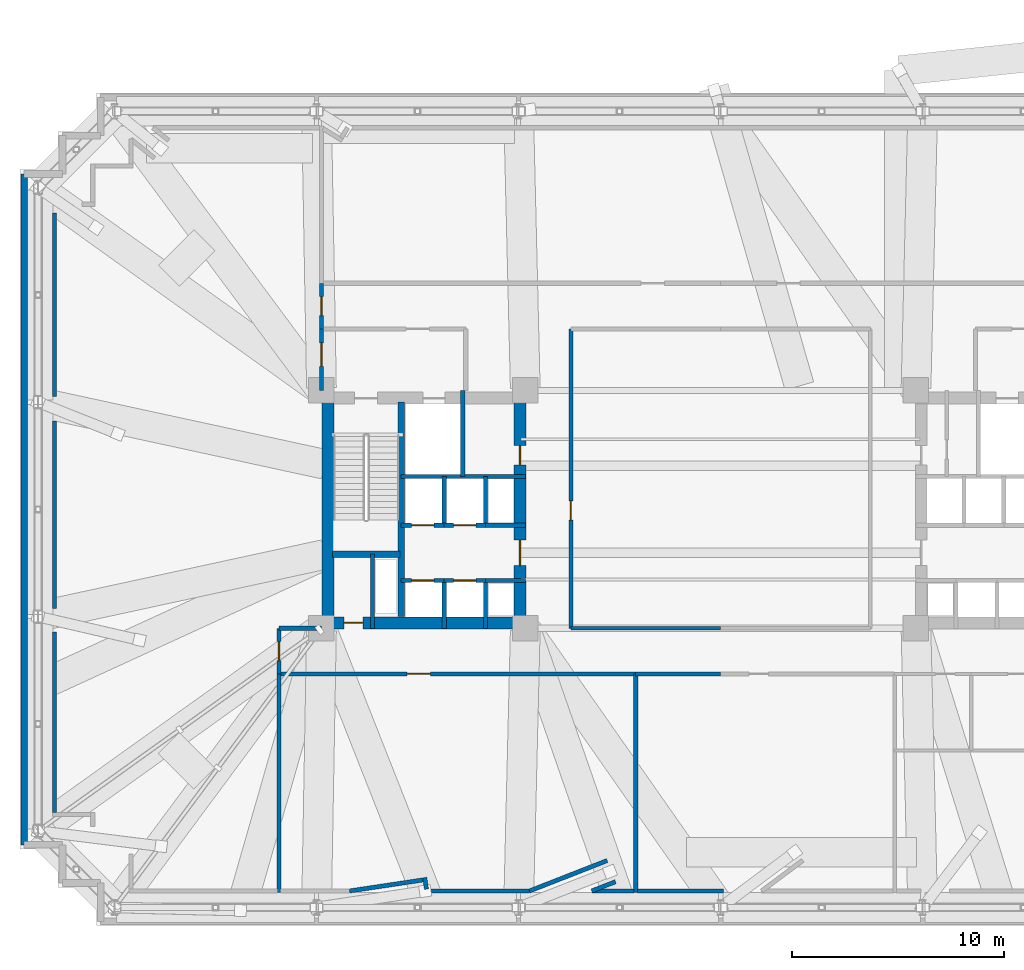
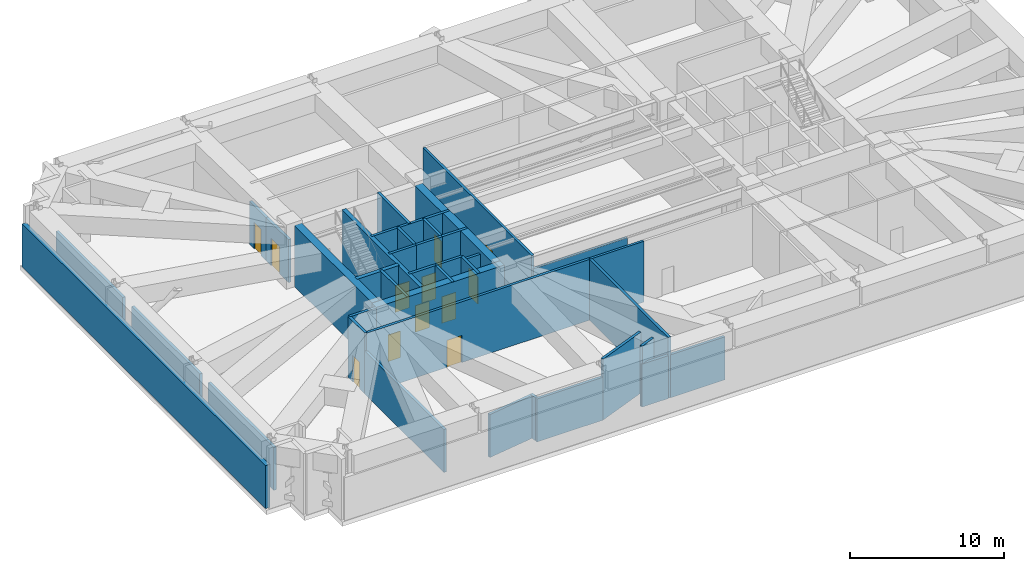
# One storey, part 15 of 20: 39 walls, 12 doors, 12 openings.
"""IFC4 building model written with IfcOpenShell, lengths in metres."""

from ifc_helpers import new_model, si_unit, direction, frame, frame_2d, origin, place, context, subcontext, project, spatial, rectangle, extrude, material, layer, layer_set, type_object, element, fill, save


model = new_model("IFC4")

# Units and contexts
model_context = context("Model", 3, precision=1e-05, world=origin(), true_north=direction((0.0, 1.0)))
body_context = subcontext(model_context, "Body", "Model", "MODEL_VIEW")
ifc_project = project(units=[si_unit("LENGTHUNIT", "METRE"), si_unit("AREAUNIT", "SQUARE_METRE"), si_unit("VOLUMEUNIT", "CUBIC_METRE"), si_unit("PLANEANGLEUNIT", "RADIAN"), si_unit("MASSUNIT", "GRAM", prefix="KILO")], contexts=[model_context])

# Site, building, storey
site_placement = place(None, origin())
site = spatial("IfcSite", under=ifc_project, at=site_placement, CompositionType="ELEMENT")
building_placement = place(site_placement, origin())
building = spatial("IfcBuilding", under=site, at=building_placement, Name="Qobustan Lattice House", CompositionType="ELEMENT")
storey_placement = place(building_placement, frame((0.0, 0.0, 73.89990234375)))
storey = spatial("IfcBuildingStorey", under=building, at=storey_placement, Name="L20", CompositionType="ELEMENT", Elevation=73.89990234375)

# Wall, opening, door
ifc_material_1 = material(Name="Concrete C60/75", Category="concrete")
ifc_layer_1 = layer(ifc_material_1, 0.56005859375)
ifc_layer_set_1 = layer_set([ifc_layer_1], Name="Concrete C60/75")
wall_type_1 = type_object("IfcWallType", Name="WAL-CORE-600", PredefinedType="SHEAR", material=ifc_layer_set_1)
wall_1_placement = place(storey_placement, frame((-18.800048828125, -5.35009765625, 0.0), z_axis=(0.0, 0.0, 1.0), x_axis=(1.0, 0.0, 0.0)))
wall_1 = element("IfcWall", 1, at=wall_1_placement, inside=storey, type_object=wall_type_1, Name="L20 split-core shear wall CW-S", PredefinedType="SHEAR", context=body_context, shape_type="SweptSolid", body=[
    extrude(rectangle(XDim=9.60009765625, YDim=0.56005859375, at=frame_2d((4.800048828125, 0.0))), origin(), (0.0, 0.0, 1.0), 4.820068359375),
])
opening_1_placement = place(wall_1_placement, frame((1.050048828125, 0.0, 0.0)))
opening_1 = element("IfcOpeningElement", 2, at=opening_1_placement, cuts=wall_1, Name="Opening RD-01", PredefinedType="OPENING", context=body_context, shape_type="SweptSolid", body=[
    extrude(rectangle(XDim=0.89990234375, YDim=2.10009765625, at=frame_2d((0.449951171875, 1.050048828125))), frame((0.0, 0.2900390625, 0.0), z_axis=(0.0, -1.0, 0.0), x_axis=(1.0, 0.0, 0.0)), (0.0, 0.0, 1.0), 0.580078125),
])
ifc_material_2 = material(Name="Persian walnut timber and steel frame door", Category="steel")
door_type_1 = type_object("IfcDoorType", Name="DOR-RISER-FD-900x2100", OperationType="NOTDEFINED", PredefinedType="DOOR", material=ifc_material_2)
door_1_placement = place(opening_1_placement, origin())
door_1 = element("IfcDoor", 3, at=door_1_placement, inside=storey, type_object=door_type_1, Name="L20 core service riser access door W", OperationType="SINGLE_SWING_LEFT", OverallHeight=2.10009765625, OverallWidth=0.89990234375, PredefinedType="DOOR", context=body_context, shape_type="SweptSolid", body=[
    extrude(rectangle(XDim=0.89990234375, YDim=2.10009765625, at=frame_2d((0.449951171875, 1.050048828125))), frame((0.0, 0.02490234375, 0.0), z_axis=(0.0, -1.0, 0.0), x_axis=(1.0, 0.0, 0.0)), (0.0, 0.0, 1.0), 0.050048828125),
])
fill(opening_1, door_1)

# Wall
wall_2_placement = place(storey_placement, frame((-18.489990234375, -5.050048828125, 0.0), z_axis=(0.0, 0.0, 1.0), x_axis=(0.0, 1.0, 0.0)))
element("IfcWall", 4, at=wall_2_placement, inside=storey, type_object=wall_type_1, Name="L20 split-core shear wall CW-W", PredefinedType="SHEAR", context=body_context, shape_type="SweptSolid", body=[
    extrude(rectangle(XDim=10.10009765625, YDim=0.56005859375, at=frame_2d((5.050048828125, 0.0))), origin(), (0.0, 0.0, 1.0), 4.820068359375),
])

# Wall, openings, doors
wall_3_placement = place(storey_placement, frame((-9.449951171875, -5.050048828125, 0.0), z_axis=(0.0, 0.0, 1.0), x_axis=(0.0, 1.0, 0.0)))
wall_3 = element("IfcWall", 5, at=wall_3_placement, inside=storey, type_object=wall_type_1, Name="L20 split-core shear wall CW-E", PredefinedType="SHEAR", context=body_context, shape_type="SweptSolid", body=[
    extrude(rectangle(XDim=10.10009765625, YDim=0.56005859375, at=frame_2d((5.050048828125, 0.0))), origin(), (0.0, 0.0, 1.0), 4.820068359375),
])
opening_2_placement = place(wall_3_placement, frame((7.14990234375, 0.0, 0.0)))
opening_2 = element("IfcOpeningElement", 6, at=opening_2_placement, cuts=wall_3, Name="Opening RD-01", PredefinedType="OPENING", context=body_context, shape_type="SweptSolid", body=[
    extrude(rectangle(XDim=0.89990234375, YDim=2.10009765625, at=frame_2d((0.449951171875, 1.050048828125))), frame((0.0, 0.2900390625, 0.0), z_axis=(0.0, -1.0, 0.0), x_axis=(1.0, 0.0, 0.0)), (0.0, 0.0, 1.0), 0.580078125),
])
opening_3_placement = place(wall_3_placement, frame((2.39990234375, 0.0, 0.0)))
opening_3 = element("IfcOpeningElement", 7, at=opening_3_placement, cuts=wall_3, Name="Opening FD-01", PredefinedType="OPENING", context=body_context, shape_type="SweptSolid", body=[
    extrude(rectangle(XDim=1.199951171875, YDim=2.14990234375, at=frame_2d((0.60009765625, 1.074951171875))), frame((0.0, 0.2900390625, 0.0), z_axis=(0.0, -1.0, 0.0), x_axis=(1.0, 0.0, 0.0)), (0.0, 0.0, 1.0), 0.580078125),
])
ifc_material_3 = material(Name="Persian walnut timber and steel frame door", Category="steel")
door_type_2 = type_object("IfcDoorType", Name="DOR-LOBBY-FD-1200x2150", OperationType="NOTDEFINED", PredefinedType="DOOR", material=ifc_material_3)
door_2_placement = place(opening_3_placement, origin())
door_2 = element("IfcDoor", 8, at=door_2_placement, inside=storey, type_object=door_type_2, Name="L20 West passenger lift lobby fire door", OperationType="SINGLE_SWING_RIGHT", OverallHeight=2.14990234375, OverallWidth=1.199951171875, PredefinedType="DOOR", context=body_context, shape_type="SweptSolid", body=[
    extrude(rectangle(XDim=1.199951171875, YDim=2.14990234375, at=frame_2d((0.60009765625, 1.074951171875))), frame((0.0, 0.02490234375, 0.0), z_axis=(0.0, -1.0, 0.0), x_axis=(1.0, 0.0, 0.0)), (0.0, 0.0, 1.0), 0.050048828125),
])
fill(opening_3, door_2)
door_3_placement = place(opening_2_placement, origin())
door_3 = element("IfcDoor", 9, at=door_3_placement, inside=storey, type_object=door_type_1, Name="L20 Floor tea pantry fire door", OperationType="SINGLE_SWING_LEFT", OverallHeight=2.10009765625, OverallWidth=0.89990234375, PredefinedType="DOOR", context=body_context, shape_type="SweptSolid", body=[
    extrude(rectangle(XDim=0.89990234375, YDim=2.10009765625, at=frame_2d((0.449951171875, 1.050048828125))), frame((0.0, 0.02490234375, 0.0), z_axis=(0.0, -1.0, 0.0), x_axis=(1.0, 0.0, 0.0)), (0.0, 0.0, 1.0), 0.050048828125),
])
fill(opening_2, door_3)

# Walls
ifc_material_4 = material(Name="Concrete C50/60", Category="concrete")
ifc_layer_2 = layer(ifc_material_4, 0.280029296875)
ifc_layer_set_2 = layer_set([ifc_layer_2], Name="Concrete C50/60")
wall_type_2 = type_object("IfcWallType", Name="WAL-CORE-SPINE-280", PredefinedType="SHEAR", material=ifc_layer_set_2)
wall_4_placement = place(storey_placement, frame((-15.050048828125, -5.050048828125, 0.0), z_axis=(0.0, 0.0, 1.0), x_axis=(0.0, 1.0, 0.0)))
element("IfcWall", 10, at=wall_4_placement, inside=storey, type_object=wall_type_2, Name="L20 split-core shear wall CW-M", PredefinedType="SHEAR", context=body_context, shape_type="SweptSolid", body=[
    extrude(rectangle(XDim=10.10009765625, YDim=0.300048828125, at=frame_2d((5.050048828125, 0.0))), origin(), (0.0, 0.0, 1.0), 4.820068359375),
])
wall_5_placement = place(storey_placement, frame((-18.280029296875, -2.110107421875, 0.0), z_axis=(0.0, 0.0, 1.0), x_axis=(1.0, 0.0, 0.0)))
element("IfcWall", 11, at=wall_5_placement, inside=storey, type_object=wall_type_2, Name="L20 split-core shear wall CW-ST", PredefinedType="SHEAR", context=body_context, shape_type="SweptSolid", body=[
    extrude(rectangle(XDim=3.179931640625, YDim=0.300048828125, at=frame_2d((1.58984375, 0.0))), origin(), (0.0, 0.0, 1.0), 4.820068359375),
])
ifc_material_5 = material(Name="Precast concrete C40/50", Category="concrete")
ifc_layer_3 = layer(ifc_material_5, 0.320068359375)
ifc_layer_set_3 = layer_set([ifc_layer_3], Name="Precast concrete C40/50")
wall_type_3 = type_object("IfcWallType", Name="WAL-EXT-STONE-320", PredefinedType="SOLIDWALL", material=ifc_layer_set_3)
wall_6_placement = place(storey_placement, frame((-32.800048828125, -15.800048828125, 0.0), z_axis=(0.0, 0.0, 1.0), x_axis=(0.0, 1.0, 0.0)))
element("IfcWall", 12, at=wall_6_placement, inside=storey, type_object=wall_type_3, Name="L20 exterior limestone-clad wall 5", PredefinedType="SOLIDWALL", context=body_context, shape_type="SweptSolid", body=[
    extrude(rectangle(XDim=31.60009765625, YDim=0.320068359375, at=frame_2d((15.800048828125, 0.0))), origin(), (0.0, 0.0, 1.0), 3.405029296875),
])
ifc_material_6 = material(Name="Gypsum fireboard acoustic partition", Category="gypsum")
ifc_layer_4 = layer(ifc_material_6, 0.179931640625)
ifc_layer_set_4 = layer_set([ifc_layer_4], Name="Gypsum fireboard acoustic partition")
wall_type_4 = type_object("IfcWallType", Name="WAL-FIRE-180", PredefinedType="PARTITIONING", material=ifc_layer_set_4)
wall_7_placement = place(storey_placement, frame((0.0, -7.75, 0.0), z_axis=(0.0, 0.0, 1.0), x_axis=(-1.0, 0.0, 0.0)))
element("IfcWall", 13, at=wall_7_placement, inside=storey, type_object=wall_type_4, Name="L20 interior partition 45", PredefinedType="PARTITIONING", context=body_context, shape_type="SweptSolid", body=[
    extrude(rectangle(XDim=4.0, YDim=0.179931640625, at=frame_2d((2.0, 0.0))), origin(), (0.0, 0.0, 1.0), 4.820068359375),
])
wall_8_placement = place(storey_placement, frame((-7.050048828125, -5.60009765625, 0.0), z_axis=(0.0, 0.0, 1.0), x_axis=(1.0, 0.0, 0.0)))
element("IfcWall", 14, at=wall_8_placement, inside=storey, type_object=wall_type_4, Name="L20 interior partition 46", PredefinedType="PARTITIONING", context=body_context, shape_type="SweptSolid", body=[
    extrude(rectangle(XDim=7.050048828125, YDim=0.179931640625, at=frame_2d((3.52490234375, 0.0))), origin(), (0.0, 0.0, 1.0), 3.797119140625),
])

# Wall, opening, door
wall_9_placement = place(storey_placement, frame((-7.050048828125, 8.5, 0.0), z_axis=(0.0, 0.0, 1.0), x_axis=(0.0, -1.0, 0.0)))
wall_9 = element("IfcWall", 15, at=wall_9_placement, inside=storey, type_object=wall_type_4, Name="L20 interior partition 54", PredefinedType="PARTITIONING", context=body_context, shape_type="SweptSolid", body=[
    extrude(rectangle(XDim=14.10009765625, YDim=0.179931640625, at=frame_2d((7.050048828125, 0.0))), origin(), (0.0, 0.0, 1.0), 4.820068359375),
])
opening_4_placement = place(wall_9_placement, frame((8.10498046875, 0.0, 0.0)))
opening_4 = element("IfcOpeningElement", 16, at=opening_4_placement, cuts=wall_9, Name="Opening RD-01", PredefinedType="OPENING", context=body_context, shape_type="SweptSolid", body=[
    extrude(rectangle(XDim=0.89990234375, YDim=2.10009765625, at=frame_2d((0.449951171875, 1.050048828125))), frame((0.0, 0.099853515625, 0.0), z_axis=(0.0, -1.0, 0.0), x_axis=(1.0, 0.0, 0.0)), (0.0, 0.0, 1.0), 0.199951171875),
])
door_4_placement = place(opening_4_placement, origin())
door_4 = element("IfcDoor", 17, at=door_4_placement, inside=storey, type_object=door_type_1, Name="L20 West mechanical plant link corridor to Calorifier and BMS control plant door", OperationType="SINGLE_SWING_LEFT", OverallHeight=2.10009765625, OverallWidth=0.89990234375, PredefinedType="DOOR", context=body_context, shape_type="SweptSolid", body=[
    extrude(rectangle(XDim=0.89990234375, YDim=2.10009765625, at=frame_2d((0.449951171875, 1.050048828125))), frame((0.0, 0.02490234375, 0.0), z_axis=(0.0, -1.0, 0.0), x_axis=(1.0, 0.0, 0.0)), (0.0, 0.0, 1.0), 0.050048828125),
])
fill(opening_4, door_4)

# Walls
ifc_material_7 = material(Name="Two-hour gypsum fireboard acoustic partition", Category="gypsum")
ifc_layer_5 = layer(ifc_material_7, 0.199951171875)
ifc_layer_set_5 = layer_set([ifc_layer_5], Name="Two-hour gypsum fireboard acoustic partition")
wall_type_5 = type_object("IfcWallType", Name="WAL-PROT-200", PredefinedType="PARTITIONING", material=ifc_layer_set_5)
wall_10_placement = place(storey_placement, frame((-13.85546875, -17.887939453125, 0.0), z_axis=(0.0, 0.0, 1.0), x_axis=(-0.148837159191, 0.988861719374, 0.0)))
element("IfcWall", 18, at=wall_10_placement, inside=storey, type_object=wall_type_5, Name="L20 perimeter belt-truss plenum enclosure wall 1", PredefinedType="PARTITIONING", context=body_context, shape_type="SweptSolid", body=[
    extrude(rectangle(XDim=0.552734375, YDim=0.199951171875, at=frame_2d((0.2763671875, 0.0))), origin(), (0.0, 0.0, 1.0), 3.405029296875),
])
wall_11_placement = place(storey_placement, frame((-14.009765625, -17.453369140625, 0.0), z_axis=(0.0, 0.0, 1.0), x_axis=(-0.988872433947, -0.14876595504, 0.0)))
element("IfcWall", 19, at=wall_11_placement, inside=storey, type_object=wall_type_5, Name="L20 perimeter belt-truss plenum enclosure wall 2", PredefinedType="PARTITIONING", context=body_context, shape_type="SweptSolid", body=[
    extrude(rectangle(XDim=3.507080078125, YDim=0.199951171875, at=frame_2d((1.75341796875, 0.0))), origin(), (0.0, 0.0, 1.0), 3.405029296875),
])
wall_12_placement = place(storey_placement, frame((-4.074951171875, -17.97509765625, 0.0), z_axis=(0.0, 0.0, 1.0), x_axis=(-1.0, 0.0, 0.0)))
element("IfcWall", 20, at=wall_12_placement, inside=storey, type_object=wall_type_5, Name="L20 perimeter belt-truss plenum enclosure wall 4", PredefinedType="PARTITIONING", context=body_context, shape_type="SweptSolid", body=[
    extrude(rectangle(XDim=1.995361328125, YDim=0.199951171875, at=frame_2d((0.99755859375, 0.0))), origin(), (0.0, 0.0, 1.0), 3.405029296875),
])
wall_13_placement = place(storey_placement, frame((-6.0703125, -17.97509765625, 0.0), z_axis=(0.0, 0.0, 1.0), x_axis=(0.931167882443, 0.364590694761, 0.0)))
element("IfcWall", 21, at=wall_13_placement, inside=storey, type_object=wall_type_5, Name="L20 perimeter belt-truss plenum enclosure wall 5", PredefinedType="PARTITIONING", context=body_context, shape_type="SweptSolid", body=[
    extrude(rectangle(XDim=1.20263671875, YDim=0.199951171875, at=frame_2d((0.601318359375, 0.0))), origin(), (0.0, 0.0, 1.0), 4.820068359375),
])
wall_14_placement = place(storey_placement, frame((-5.340576171875, -16.540283203125, 0.0), z_axis=(0.0, 0.0, 1.0), x_axis=(-0.931160374746, -0.364609868904, 0.0)))
element("IfcWall", 22, at=wall_14_placement, inside=storey, type_object=wall_type_5, Name="L20 perimeter belt-truss plenum enclosure wall 6", PredefinedType="PARTITIONING", context=body_context, shape_type="SweptSolid", body=[
    extrude(rectangle(XDim=3.935302734375, YDim=0.199951171875, at=frame_2d((1.9677734375, 0.0))), origin(), (0.0, 0.0, 1.0), 4.820068359375),
])
wall_15_placement = place(storey_placement, frame((-9.0048828125, -17.97509765625, 0.0), z_axis=(0.0, 0.0, 1.0), x_axis=(-1.0, 0.0, 0.0)))
element("IfcWall", 23, at=wall_15_placement, inside=storey, type_object=wall_type_5, Name="L20 perimeter belt-truss plenum enclosure wall 7", PredefinedType="PARTITIONING", context=body_context, shape_type="SweptSolid", body=[
    extrude(rectangle(XDim=4.9375, YDim=0.199951171875, at=frame_2d((2.46875, 0.0))), origin(), (0.0, 0.0, 1.0), 3.405029296875),
])
wall_16_placement = place(storey_placement, frame((-31.375, -14.287109375, 0.0), z_axis=(0.0, 0.0, 1.0), x_axis=(0.0, 1.0, 0.0)))
element("IfcWall", 24, at=wall_16_placement, inside=storey, type_object=wall_type_5, Name="L20 perimeter belt-truss plenum enclosure wall 8", PredefinedType="PARTITIONING", context=body_context, shape_type="SweptSolid", body=[
    extrude(rectangle(XDim=8.50830078125, YDim=0.199951171875, at=frame_2d((4.254150390625, 0.0))), origin(), (0.0, 0.0, 1.0), 3.405029296875),
])
wall_17_placement = place(storey_placement, frame((-31.375, -4.680419921875, 0.0), z_axis=(0.0, 0.0, 1.0), x_axis=(0.0, 1.0, 0.0)))
element("IfcWall", 25, at=wall_17_placement, inside=storey, type_object=wall_type_5, Name="L20 perimeter belt-truss plenum enclosure wall 9", PredefinedType="PARTITIONING", context=body_context, shape_type="SweptSolid", body=[
    extrude(rectangle(XDim=8.846435546875, YDim=0.199951171875, at=frame_2d((4.42333984375, 0.0))), origin(), (0.0, 0.0, 1.0), 3.405029296875),
])
wall_18_placement = place(storey_placement, frame((-31.375, 5.3173828125, 0.0), z_axis=(0.0, 0.0, 1.0), x_axis=(0.0, 1.0, 0.0)))
element("IfcWall", 26, at=wall_18_placement, inside=storey, type_object=wall_type_5, Name="L20 perimeter belt-truss plenum enclosure wall 10", PredefinedType="PARTITIONING", context=body_context, shape_type="SweptSolid", body=[
    extrude(rectangle(XDim=8.64990234375, YDim=0.199951171875, at=frame_2d((4.324951171875, 0.0))), origin(), (0.0, 0.0, 1.0), 3.405029296875),
])
wall_19_placement = place(storey_placement, frame((0.14453125, -17.97509765625, 0.0), z_axis=(0.0, 0.0, 1.0), x_axis=(-1.0, 0.0, 0.0)))
element("IfcWall", 27, at=wall_19_placement, inside=storey, type_object=wall_type_5, Name="L20 perimeter belt-truss plenum enclosure wall 24", PredefinedType="PARTITIONING", context=body_context, shape_type="SweptSolid", body=[
    extrude(rectangle(XDim=4.069580078125, YDim=0.199951171875, at=frame_2d((2.03466796875, 0.0))), origin(), (0.0, 0.0, 1.0), 3.405029296875),
])

# Wall, opening, door
wall_20_placement = place(storey_placement, frame((-18.800048828125, 8.5, 0.0), z_axis=(0.0, 0.0, 1.0), x_axis=(0.0, -1.0, 0.0)))
wall_20 = element("IfcWall", 28, at=wall_20_placement, inside=storey, type_object=wall_type_5, Name="L20 interior partition 5", PredefinedType="PARTITIONING", context=body_context, shape_type="SweptSolid", body=[
    extrude(rectangle(XDim=2.89990234375, YDim=0.199951171875, at=frame_2d((1.449951171875, 0.0))), origin(), (0.0, 0.0, 1.0), 3.405029296875),
])
opening_5_placement = place(wall_20_placement, frame((0.659912109375, 0.0, 0.0)))
opening_5 = element("IfcOpeningElement", 29, at=opening_5_placement, cuts=wall_20, Name="Opening SD-01", PredefinedType="OPENING", context=body_context, shape_type="SweptSolid", body=[
    extrude(rectangle(XDim=1.10009765625, YDim=2.14990234375, at=frame_2d((0.550048828125, 1.074951171875))), frame((0.0, 0.10986328125, 0.0), z_axis=(0.0, -1.0, 0.0), x_axis=(1.0, 0.0, 0.0)), (0.0, 0.0, 1.0), 0.219970703125),
])
ifc_material_8 = material(Name="Persian walnut timber and steel frame door", Category="steel")
door_type_3 = type_object("IfcDoorType", Name="DOR-STAIR-FD-1100x2150", OperationType="NOTDEFINED", PredefinedType="DOOR", material=ifc_material_8)
door_5_placement = place(opening_5_placement, origin())
door_5 = element("IfcDoor", 30, at=door_5_placement, inside=storey, type_object=door_type_3, Name="L20 West firefighting lift lobby to West protected refuge area door", OperationType="SINGLE_SWING_RIGHT", OverallHeight=2.14990234375, OverallWidth=1.10009765625, PredefinedType="DOOR", context=body_context, shape_type="SweptSolid", body=[
    extrude(rectangle(XDim=1.10009765625, YDim=2.14990234375, at=frame_2d((0.550048828125, 1.074951171875))), frame((0.0, 0.02490234375, 0.0), z_axis=(0.0, -1.0, 0.0), x_axis=(1.0, 0.0, 0.0)), (0.0, 0.0, 1.0), 0.050048828125),
])
fill(opening_5, door_5)

wall_21_placement = place(storey_placement, frame((-18.800048828125, 8.5, 0.0), z_axis=(0.0, 0.0, 1.0), x_axis=(0.0, 1.0, 0.0)))
wall_21 = element("IfcWall", 31, at=wall_21_placement, inside=storey, type_object=wall_type_5, Name="L20 interior partition 36", PredefinedType="PARTITIONING", context=body_context, shape_type="SweptSolid", body=[
    extrude(rectangle(XDim=2.14990234375, YDim=0.199951171875, at=frame_2d((1.074951171875, 0.0))), origin(), (0.0, 0.0, 1.0), 3.405029296875),
])
opening_6_placement = place(wall_21_placement, frame((0.625, 0.0, 0.0)))
opening_6 = element("IfcOpeningElement", 32, at=opening_6_placement, cuts=wall_21, Name="Opening RD-01", PredefinedType="OPENING", context=body_context, shape_type="SweptSolid", body=[
    extrude(rectangle(XDim=0.89990234375, YDim=2.10009765625, at=frame_2d((0.449951171875, 1.050048828125))), frame((0.0, 0.10986328125, 0.0), z_axis=(0.0, -1.0, 0.0), x_axis=(1.0, 0.0, 0.0)), (0.0, 0.0, 1.0), 0.219970703125),
])
door_6_placement = place(opening_6_placement, origin())
door_6 = element("IfcDoor", 33, at=door_6_placement, inside=storey, type_object=door_type_1, Name="L20 North-west mechanical plant corridor to West protected refuge area door", OperationType="SINGLE_SWING_RIGHT", OverallHeight=2.10009765625, OverallWidth=0.89990234375, PredefinedType="DOOR", context=body_context, shape_type="SweptSolid", body=[
    extrude(rectangle(XDim=0.89990234375, YDim=2.10009765625, at=frame_2d((0.449951171875, 1.050048828125))), frame((0.0, 0.02490234375, 0.0), z_axis=(0.0, -1.0, 0.0), x_axis=(1.0, 0.0, 0.0)), (0.0, 0.0, 1.0), 0.050048828125),
])
fill(opening_6, door_6)

wall_22_placement = place(storey_placement, frame((-20.800048828125, -7.75, 0.0), z_axis=(0.0, 0.0, 1.0), x_axis=(0.0, 1.0, 0.0)))
wall_22 = element("IfcWall", 34, at=wall_22_placement, inside=storey, type_object=wall_type_5, Name="L20 interior partition 42", PredefinedType="PARTITIONING", context=body_context, shape_type="SweptSolid", body=[
    extrude(rectangle(XDim=2.14990234375, YDim=0.199951171875, at=frame_2d((1.074951171875, 0.0))), origin(), (0.0, 0.0, 1.0), 4.820068359375),
])
opening_7_placement = place(wall_22_placement, frame((0.625, 0.0, 0.0)))
opening_7 = element("IfcOpeningElement", 35, at=opening_7_placement, cuts=wall_22, Name="Opening RD-01", PredefinedType="OPENING", context=body_context, shape_type="SweptSolid", body=[
    extrude(rectangle(XDim=0.89990234375, YDim=2.10009765625, at=frame_2d((0.449951171875, 1.050048828125))), frame((0.0, 0.10986328125, 0.0), z_axis=(0.0, -1.0, 0.0), x_axis=(1.0, 0.0, 0.0)), (0.0, 0.0, 1.0), 0.219970703125),
])
door_7_placement = place(opening_7_placement, origin())
door_7 = element("IfcDoor", 36, at=door_7_placement, inside=storey, type_object=door_type_1, Name="L20 South-west mechanical plant corridor to West protected refuge area door", OperationType="SINGLE_SWING_RIGHT", OverallHeight=2.10009765625, OverallWidth=0.89990234375, PredefinedType="DOOR", context=body_context, shape_type="SweptSolid", body=[
    extrude(rectangle(XDim=0.89990234375, YDim=2.10009765625, at=frame_2d((0.449951171875, 1.050048828125))), frame((0.0, 0.02490234375, 0.0), z_axis=(0.0, -1.0, 0.0), x_axis=(1.0, 0.0, 0.0)), (0.0, 0.0, 1.0), 0.050048828125),
])
fill(opening_7, door_7)

# Wall
wall_23_placement = place(storey_placement, frame((-20.800048828125, -5.60009765625, 0.0), z_axis=(0.0, 0.0, 1.0), x_axis=(1.0, 0.0, 0.0)))
element("IfcWall", 37, at=wall_23_placement, inside=storey, type_object=wall_type_5, Name="L20 interior partition 43", PredefinedType="PARTITIONING", context=body_context, shape_type="SweptSolid", body=[
    extrude(rectangle(XDim=2.0, YDim=0.199951171875, at=frame_2d((1.0, 0.0))), origin(), (0.0, 0.0, 1.0), 4.820068359375),
])

# Wall, opening, door
wall_24_placement = place(storey_placement, frame((-4.0, -7.75, 0.0), z_axis=(0.0, 0.0, 1.0), x_axis=(-1.0, 0.0, 0.0)))
wall_24 = element("IfcWall", 38, at=wall_24_placement, inside=storey, type_object=wall_type_5, Name="L20 interior partition 44", PredefinedType="PARTITIONING", context=body_context, shape_type="SweptSolid", body=[
    extrude(rectangle(XDim=16.800048828125, YDim=0.199951171875, at=frame_2d((8.39990234375, 0.0))), origin(), (0.0, 0.0, 1.0), 4.820068359375),
])
opening_8_placement = place(wall_24_placement, frame((9.66748046875, 0.0, 0.0)))
opening_8 = element("IfcOpeningElement", 39, at=opening_8_placement, cuts=wall_24, Name="Opening SD-01", PredefinedType="OPENING", context=body_context, shape_type="SweptSolid", body=[
    extrude(rectangle(XDim=1.10009765625, YDim=2.14990234375, at=frame_2d((0.550048828125, 1.074951171875))), frame((0.0, 0.10986328125, 0.0), z_axis=(0.0, -1.0, 0.0), x_axis=(1.0, 0.0, 0.0)), (0.0, 0.0, 1.0), 0.219970703125),
])
door_8_placement = place(opening_8_placement, origin())
door_8 = element("IfcDoor", 40, at=door_8_placement, inside=storey, type_object=door_type_3, Name="L20 South-west mechanical plant corridor to South protected refuge area door", OperationType="SINGLE_SWING_LEFT", OverallHeight=2.14990234375, OverallWidth=1.10009765625, PredefinedType="DOOR", context=body_context, shape_type="SweptSolid", body=[
    extrude(rectangle(XDim=1.10009765625, YDim=2.14990234375, at=frame_2d((0.550048828125, 1.074951171875))), frame((0.0, 0.02490234375, 0.0), z_axis=(0.0, -1.0, 0.0), x_axis=(1.0, 0.0, 0.0)), (0.0, 0.0, 1.0), 0.050048828125),
])
fill(opening_8, door_8)

# Walls
wall_25_placement = place(storey_placement, frame((-20.800048828125, -7.75, 0.0), z_axis=(0.0, 0.0, 1.0), x_axis=(0.0, -1.0, 0.0)))
element("IfcWall", 41, at=wall_25_placement, inside=storey, type_object=wall_type_5, Name="L20 interior partition 57", PredefinedType="PARTITIONING", context=body_context, shape_type="SweptSolid", body=[
    extrude(rectangle(XDim=10.300048828125, YDim=0.199951171875, at=frame_2d((5.14990234375, 0.0))), origin(), (0.0, 0.0, 1.0), 3.405029296875),
])
wall_26_placement = place(storey_placement, frame((-4.0, -7.75, 0.0), z_axis=(0.0, 0.0, 1.0), x_axis=(0.0, -1.0, 0.0)))
element("IfcWall", 42, at=wall_26_placement, inside=storey, type_object=wall_type_5, Name="L20 interior partition 61", PredefinedType="PARTITIONING", context=body_context, shape_type="SweptSolid", body=[
    extrude(rectangle(XDim=10.300048828125, YDim=0.199951171875, at=frame_2d((5.14990234375, 0.0))), origin(), (0.0, 0.0, 1.0), 4.820068359375),
])
ifc_material_9 = material(Name="Concrete C40/50", Category="concrete")
ifc_layer_6 = layer(ifc_material_9, 0.199951171875)
ifc_layer_set_6 = layer_set([ifc_layer_6], Name="Concrete C40/50")
wall_type_6 = type_object("IfcWallType", Name="WAL-SHAFT-200", PredefinedType="PARTITIONING", material=ifc_layer_set_6)
wall_27_placement = place(storey_placement, frame((-16.39990234375, -5.60009765625, 0.0), z_axis=(0.0, 0.0, 1.0), x_axis=(0.0, 1.0, 0.0)))
element("IfcWall", 43, at=wall_27_placement, inside=storey, type_object=wall_type_6, Name="L20 interior partition 1", PredefinedType="PARTITIONING", context=body_context, shape_type="SweptSolid", body=[
    extrude(rectangle(XDim=3.489990234375, YDim=0.199951171875, at=frame_2d((1.7451171875, 0.0))), origin(), (0.0, 0.0, 1.0), 4.820068359375),
])
wall_28_placement = place(storey_placement, frame((-12.14990234375, 1.550048828125, 0.0), z_axis=(0.0, 0.0, 1.0), x_axis=(0.0, 1.0, 0.0)))
element("IfcWall", 44, at=wall_28_placement, inside=storey, type_object=wall_type_6, Name="L20 interior partition 2", PredefinedType="PARTITIONING", context=body_context, shape_type="SweptSolid", body=[
    extrude(rectangle(XDim=4.050048828125, YDim=0.199951171875, at=frame_2d((2.02490234375, 0.0))), origin(), (0.0, 0.0, 1.0), 4.820068359375),
])

# Wall, opening, door
wall_29_placement = place(storey_placement, frame((-15.050048828125, -3.35009765625, 0.0), z_axis=(0.0, 0.0, 1.0), x_axis=(1.0, 0.0, 0.0)))
wall_29 = element("IfcWall", 45, at=wall_29_placement, inside=storey, type_object=wall_type_6, Name="L20 interior partition 7", PredefinedType="PARTITIONING", context=body_context, shape_type="SweptSolid", body=[
    extrude(rectangle(XDim=2.030029296875, YDim=0.199951171875, at=frame_2d((1.01513671875, 0.0))), origin(), (0.0, 0.0, 1.0), 4.820068359375),
])
opening_9_placement = place(wall_29_placement, frame((0.489990234375, 0.0, 0.0)))
opening_9 = element("IfcOpeningElement", 46, at=opening_9_placement, cuts=wall_29, Name="Opening LD-01", PredefinedType="OPENING", context=body_context, shape_type="SweptSolid", body=[
    extrude(rectangle(XDim=1.050048828125, YDim=2.10009765625, at=frame_2d((0.52490234375, 1.050048828125))), frame((0.0, 0.10986328125, 0.0), z_axis=(0.0, -1.0, 0.0), x_axis=(1.0, 0.0, 0.0)), (0.0, 0.0, 1.0), 0.219970703125),
])
ifc_material_10 = material(Name="Persian walnut timber and steel frame door", Category="steel")
door_type_4 = type_object("IfcDoorType", Name="DOR-LIFT-LD-1050x2100", OperationType="NOTDEFINED", PredefinedType="DOOR", material=ifc_material_10)
door_9_placement = place(opening_9_placement, origin())
door_9 = element("IfcDoor", 47, at=door_9_placement, inside=storey, type_object=door_type_4, Name="L20 lift landing door", OperationType="DOUBLE_DOOR_SLIDING", OverallHeight=2.10009765625, OverallWidth=1.050048828125, PredefinedType="DOOR", context=body_context, shape_type="SweptSolid", body=[
    extrude(rectangle(XDim=1.050048828125, YDim=2.10009765625, at=frame_2d((0.52490234375, 1.050048828125))), frame((0.0, 0.02490234375, 0.0), z_axis=(0.0, -1.0, 0.0), x_axis=(1.0, 0.0, 0.0)), (0.0, 0.0, 1.0), 0.050048828125),
])
fill(opening_9, door_9)

wall_30_placement = place(storey_placement, frame((-13.02001953125, -3.35009765625, 0.0), z_axis=(0.0, 0.0, 1.0), x_axis=(1.0, 0.0, 0.0)))
wall_30 = element("IfcWall", 48, at=wall_30_placement, inside=storey, type_object=wall_type_6, Name="L20 interior partition 8", PredefinedType="PARTITIONING", context=body_context, shape_type="SweptSolid", body=[
    extrude(rectangle(XDim=1.93994140625, YDim=0.199951171875, at=frame_2d((0.969970703125, 0.0))), origin(), (0.0, 0.0, 1.0), 4.820068359375),
])
opening_10_placement = place(wall_30_placement, frame((0.445068359375, 0.0, 0.0)))
opening_10 = element("IfcOpeningElement", 49, at=opening_10_placement, cuts=wall_30, Name="Opening LD-01", PredefinedType="OPENING", context=body_context, shape_type="SweptSolid", body=[
    extrude(rectangle(XDim=1.050048828125, YDim=2.10009765625, at=frame_2d((0.52490234375, 1.050048828125))), frame((0.0, 0.10986328125, 0.0), z_axis=(0.0, -1.0, 0.0), x_axis=(1.0, 0.0, 0.0)), (0.0, 0.0, 1.0), 0.219970703125),
])
door_10_placement = place(opening_10_placement, origin())
door_10 = element("IfcDoor", 50, at=door_10_placement, inside=storey, type_object=door_type_4, Name="L20 lift landing door", OperationType="DOUBLE_DOOR_SLIDING", OverallHeight=2.10009765625, OverallWidth=1.050048828125, PredefinedType="DOOR", context=body_context, shape_type="SweptSolid", body=[
    extrude(rectangle(XDim=1.050048828125, YDim=2.10009765625, at=frame_2d((0.52490234375, 1.050048828125))), frame((0.0, 0.02490234375, 0.0), z_axis=(0.0, -1.0, 0.0), x_axis=(1.0, 0.0, 0.0)), (0.0, 0.0, 1.0), 0.050048828125),
])
fill(opening_10, door_10)

# Wall
wall_31_placement = place(storey_placement, frame((-11.080078125, -3.35009765625, 0.0), z_axis=(0.0, 0.0, 1.0), x_axis=(1.0, 0.0, 0.0)))
element("IfcWall", 51, at=wall_31_placement, inside=storey, type_object=wall_type_6, Name="L20 interior partition 9", PredefinedType="PARTITIONING", context=body_context, shape_type="SweptSolid", body=[
    extrude(rectangle(XDim=1.880126953125, YDim=0.199951171875, at=frame_2d((0.93994140625, 0.0))), origin(), (0.0, 0.0, 1.0), 4.53515625),
])

# Wall, opening, door
wall_32_placement = place(storey_placement, frame((-13.02001953125, -0.75, 0.0), z_axis=(0.0, 0.0, 1.0), x_axis=(-1.0, 0.0, 0.0)))
wall_32 = element("IfcWall", 52, at=wall_32_placement, inside=storey, type_object=wall_type_6, Name="L20 interior partition 10", PredefinedType="PARTITIONING", context=body_context, shape_type="SweptSolid", body=[
    extrude(rectangle(XDim=2.030029296875, YDim=0.199951171875, at=frame_2d((1.01513671875, 0.0))), origin(), (0.0, 0.0, 1.0), 4.820068359375),
])
opening_11_placement = place(wall_32_placement, frame((0.489990234375, 0.0, 0.0)))
opening_11 = element("IfcOpeningElement", 53, at=opening_11_placement, cuts=wall_32, Name="Opening LD-01", PredefinedType="OPENING", context=body_context, shape_type="SweptSolid", body=[
    extrude(rectangle(XDim=1.050048828125, YDim=2.10009765625, at=frame_2d((0.52490234375, 1.050048828125))), frame((0.0, 0.10986328125, 0.0), z_axis=(0.0, -1.0, 0.0), x_axis=(1.0, 0.0, 0.0)), (0.0, 0.0, 1.0), 0.219970703125),
])
door_11_placement = place(opening_11_placement, origin())
door_11 = element("IfcDoor", 54, at=door_11_placement, inside=storey, type_object=door_type_4, Name="L20 lift landing door", OperationType="DOUBLE_DOOR_SLIDING", OverallHeight=2.10009765625, OverallWidth=1.050048828125, PredefinedType="DOOR", context=body_context, shape_type="SweptSolid", body=[
    extrude(rectangle(XDim=1.050048828125, YDim=2.10009765625, at=frame_2d((0.52490234375, 1.050048828125))), frame((0.0, 0.02490234375, 0.0), z_axis=(0.0, -1.0, 0.0), x_axis=(1.0, 0.0, 0.0)), (0.0, 0.0, 1.0), 0.050048828125),
])
fill(opening_11, door_11)

wall_33_placement = place(storey_placement, frame((-11.080078125, -0.75, 0.0), z_axis=(0.0, 0.0, 1.0), x_axis=(-1.0, 0.0, 0.0)))
wall_33 = element("IfcWall", 55, at=wall_33_placement, inside=storey, type_object=wall_type_6, Name="L20 interior partition 11", PredefinedType="PARTITIONING", context=body_context, shape_type="SweptSolid", body=[
    extrude(rectangle(XDim=1.93994140625, YDim=0.199951171875, at=frame_2d((0.969970703125, 0.0))), origin(), (0.0, 0.0, 1.0), 4.820068359375),
])
opening_12_placement = place(wall_33_placement, frame((0.445068359375, 0.0, 0.0)))
opening_12 = element("IfcOpeningElement", 56, at=opening_12_placement, cuts=wall_33, Name="Opening LD-01", PredefinedType="OPENING", context=body_context, shape_type="SweptSolid", body=[
    extrude(rectangle(XDim=1.050048828125, YDim=2.10009765625, at=frame_2d((0.52490234375, 1.050048828125))), frame((0.0, 0.10986328125, 0.0), z_axis=(0.0, -1.0, 0.0), x_axis=(1.0, 0.0, 0.0)), (0.0, 0.0, 1.0), 0.219970703125),
])
door_12_placement = place(opening_12_placement, origin())
door_12 = element("IfcDoor", 57, at=door_12_placement, inside=storey, type_object=door_type_4, Name="L20 lift landing door", OperationType="DOUBLE_DOOR_SLIDING", OverallHeight=2.10009765625, OverallWidth=1.050048828125, PredefinedType="DOOR", context=body_context, shape_type="SweptSolid", body=[
    extrude(rectangle(XDim=1.050048828125, YDim=2.10009765625, at=frame_2d((0.52490234375, 1.050048828125))), frame((0.0, 0.02490234375, 0.0), z_axis=(0.0, -1.0, 0.0), x_axis=(1.0, 0.0, 0.0)), (0.0, 0.0, 1.0), 0.050048828125),
])
fill(opening_12, door_12)

# Walls
wall_34_placement = place(storey_placement, frame((-9.199951171875, -0.75, 0.0), z_axis=(0.0, 0.0, 1.0), x_axis=(-1.0, 0.0, 0.0)))
element("IfcWall", 58, at=wall_34_placement, inside=storey, type_object=wall_type_6, Name="L20 interior partition 12", PredefinedType="PARTITIONING", context=body_context, shape_type="SweptSolid", body=[
    extrude(rectangle(XDim=1.880126953125, YDim=0.199951171875, at=frame_2d((0.93994140625, 0.0))), origin(), (0.0, 0.0, 1.0), 4.820068359375),
])
for number, where, z_axis, x_axis, name in (
    (59, (-13.02001953125, -5.60009765625, 0.0), (0.0, 0.0, 1.0), (0.0, 1.0, 0.0), "L20 interior partition 14"),
    (60, (-11.080078125, -5.60009765625, 0.0), (0.0, 0.0, 1.0), (0.0, 1.0, 0.0), "L20 interior partition 15"),
):
    element("IfcWall", number, at=place(storey_placement, frame(where, z_axis=z_axis, x_axis=x_axis)), inside=storey, type_object=wall_type_6, Name=name, PredefinedType="PARTITIONING", context=body_context, shape_type="SweptSolid", body=[
        extrude(rectangle(XDim=2.25, YDim=0.199951171875, at=frame_2d((1.125, 0.0))), origin(), (0.0, 0.0, 1.0), 4.820068359375),
    ])
for number, where, z_axis, x_axis, name in (
    (61, (-13.02001953125, -0.75, 0.0), (0.0, 0.0, 1.0), (0.0, 1.0, 0.0), "L20 interior partition 16"),
    (62, (-11.080078125, -0.75, 0.0), (0.0, 0.0, 1.0), (0.0, 1.0, 0.0), "L20 interior partition 17"),
):
    element("IfcWall", number, at=place(storey_placement, frame(where, z_axis=z_axis, x_axis=x_axis)), inside=storey, type_object=wall_type_6, Name=name, PredefinedType="PARTITIONING", context=body_context, shape_type="SweptSolid", body=[
        extrude(rectangle(XDim=2.300048828125, YDim=0.199951171875, at=frame_2d((1.14990234375, 0.0))), origin(), (0.0, 0.0, 1.0), 4.820068359375),
    ])
wall_35_placement = place(storey_placement, frame((-15.050048828125, 1.550048828125, 0.0), z_axis=(0.0, 0.0, 1.0), x_axis=(1.0, 0.0, 0.0)))
element("IfcWall", 63, at=wall_35_placement, inside=storey, type_object=wall_type_6, Name="L20 interior partition 69", PredefinedType="PARTITIONING", context=body_context, shape_type="SweptSolid", body=[
    extrude(rectangle(XDim=5.85009765625, YDim=0.199951171875, at=frame_2d((2.925048828125, 0.0))), origin(), (0.0, 0.0, 1.0), 4.820068359375),
])

save(model, "model.ifc")
